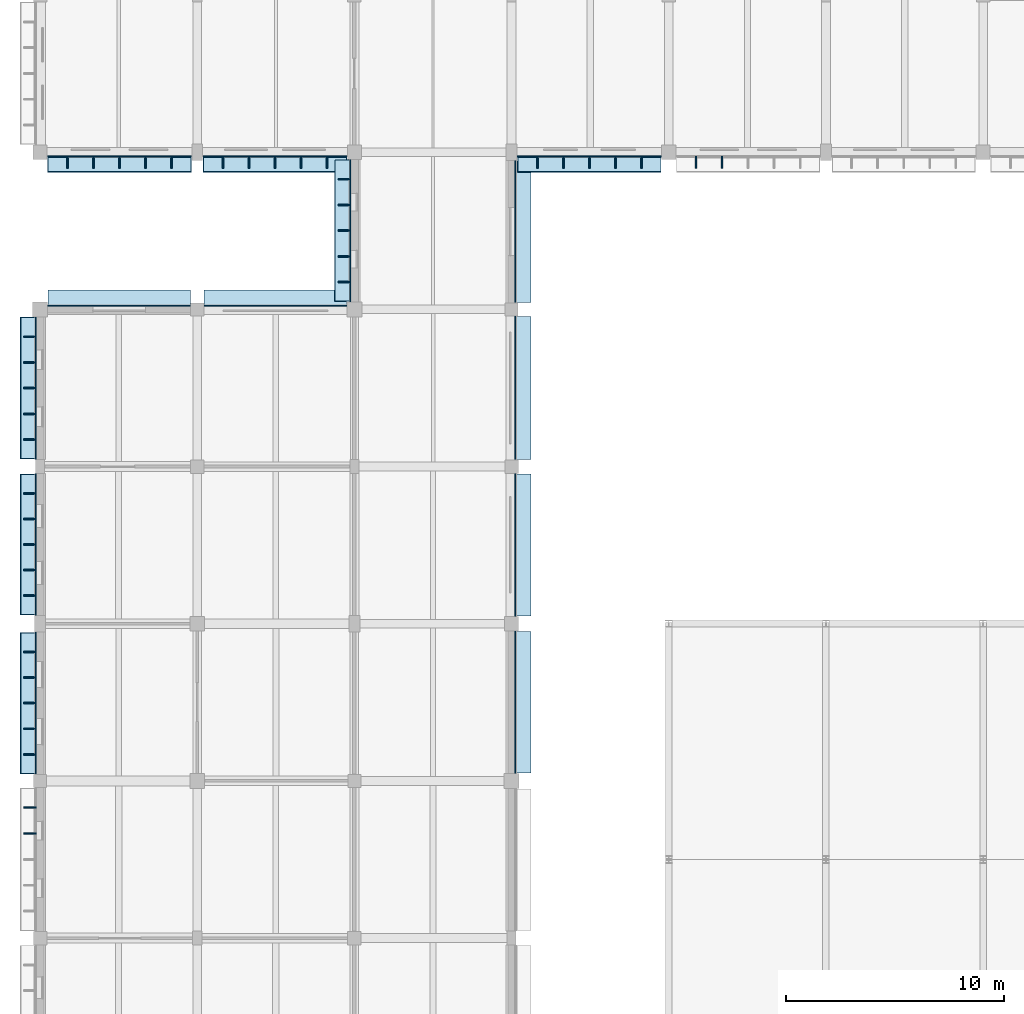
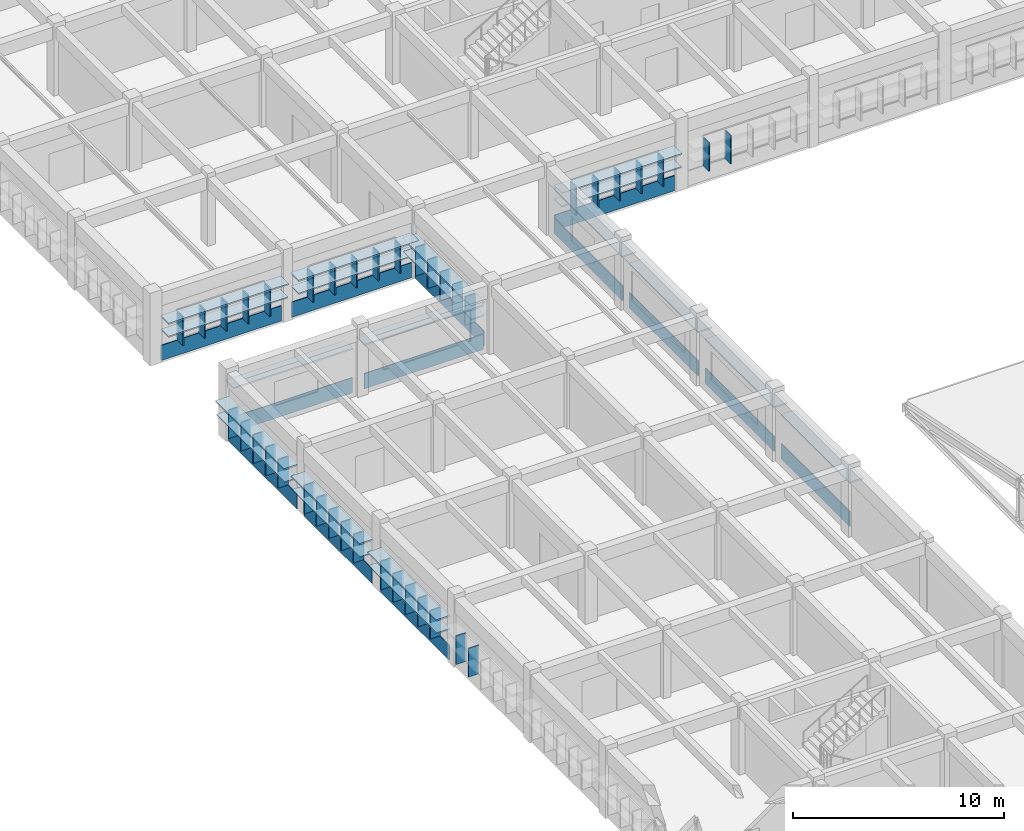
# One storey, part 70 of 103: 72 plates.
"""IFC4 building model written with IfcOpenShell, lengths in metres."""

from ifc_helpers import new_model, si_unit, direction, frame, origin, origin_2d, place, context, subcontext, project, spatial, rectangle, extrude, material, layer, layer_set, type_object, element, save


model = new_model("IFC4")

# Units and contexts
model_context = context("Model", 3, precision=1e-05, world=origin(), true_north=direction((0.0, 1.0)))
body_context = subcontext(model_context, "Body", "Model", "MODEL_VIEW")
ifc_project = project(units=[si_unit("LENGTHUNIT", "METRE"), si_unit("AREAUNIT", "SQUARE_METRE"), si_unit("VOLUMEUNIT", "CUBIC_METRE"), si_unit("PLANEANGLEUNIT", "RADIAN"), si_unit("MASSUNIT", "GRAM", prefix="KILO")], contexts=[model_context])

# Site, building, storey
site_placement = place(None, origin())
site = spatial("IfcSite", under=ifc_project, at=site_placement, CompositionType="ELEMENT")
building_placement = place(site_placement, origin())
building = spatial("IfcBuilding", under=site, at=building_placement, Name="Thalmaran Polytechnic", CompositionType="ELEMENT")
storey_placement = place(building_placement, frame((0.0, 0.0, 14.39990234375)))
storey = spatial("IfcBuildingStorey", under=building, at=storey_placement, Name="L03", CompositionType="ELEMENT", Elevation=14.39990234375)

# Plates
ifc_material_1 = material(Name="Anodised aluminium spandrel band", Category="aluminium")
ifc_layer_1 = layer(ifc_material_1, 0.054931640625, Name="Anodised aluminium spandrel band")
ifc_layer_set_1 = layer_set([ifc_layer_1], Name="Anodised aluminium spandrel band")
plate_type_1 = type_object("IfcPlateType", Name="PT-BD01", PredefinedType="SHEET", material=ifc_layer_set_1)
plate_1_placement = place(storey_placement, frame((-0.195068359375, 68.362548828125, 0.020263671875), z_axis=(0.0, 0.0, 1.0), x_axis=(0.0, 1.0, 0.0)))
element("IfcPlate", 1, at=plate_1_placement, inside=storey, type_object=plate_type_1, Name="Streamline Horizontal Spandrel Band L03-038", PredefinedType="SHEET", context=body_context, shape_type="SweptSolid", body=[
    extrude(rectangle(XDim=6.485107421875, YDim=0.054931640625, at=origin_2d()), origin(), (0.0, 0.0, 1.0), 0.8798828125),
])
plate_2_placement = place(storey_placement, frame((-0.195068359375, 75.62744140625, 0.020263671875), z_axis=(0.0, 0.0, 1.0), x_axis=(0.0, 1.0, 0.0)))
element("IfcPlate", 2, at=plate_2_placement, inside=storey, type_object=plate_type_1, Name="Streamline Horizontal Spandrel Band L03-039", PredefinedType="SHEET", context=body_context, shape_type="SweptSolid", body=[
    extrude(rectangle(XDim=6.465087890625, YDim=0.054931640625, at=origin_2d()), origin(), (0.0, 0.0, 1.0), 0.8798828125),
])
plate_3_placement = place(storey_placement, frame((-0.195068359375, 82.7900390625, 0.020263671875), z_axis=(0.0, 0.0, 1.0), x_axis=(0.0, 1.0, 0.0)))
element("IfcPlate", 3, at=plate_3_placement, inside=storey, type_object=plate_type_1, Name="Streamline Horizontal Spandrel Band L03-040", PredefinedType="SHEET", context=body_context, shape_type="SweptSolid", body=[
    extrude(rectangle(XDim=6.5, YDim=0.054931640625, at=origin_2d()), origin(), (0.0, 0.0, 1.0), 0.8798828125),
])
for number, where, z_axis, x_axis, name in (
    (4, (3.6201171875, 86.570068359375, 0.020263671875), (0.0, 0.0, 1.0), (1.0, 0.0, 0.0), "Streamline Horizontal Spandrel Band L03-041"),
    (5, (10.780029296875, 86.570068359375, 0.020263671875), (0.0, 0.0, 1.0), (1.0, 0.0, 0.0), "Streamline Horizontal Spandrel Band L03-042"),
):
    element("IfcPlate", number, at=place(storey_placement, frame(where, z_axis=z_axis, x_axis=x_axis)), inside=storey, type_object=plate_type_1, Name=name, PredefinedType="SHEET", context=body_context, shape_type="SweptSolid", body=[
        extrude(rectangle(XDim=6.52001953125, YDim=0.054931640625, at=origin_2d()), origin(), (0.0, 0.0, 1.0), 0.8798828125),
    ])
plate_4_placement = place(storey_placement, frame((14.205078125, 90.007568359375, 0.020263671875), z_axis=(0.0, 0.0, 1.0), x_axis=(0.0, 1.0, 0.0)))
element("IfcPlate", 6, at=plate_4_placement, inside=storey, type_object=plate_type_1, Name="Streamline Horizontal Spandrel Band L03-043", PredefinedType="SHEET", context=body_context, shape_type="SweptSolid", body=[
    extrude(rectangle(XDim=6.4951171875, YDim=0.054931640625, at=origin_2d()), origin(), (0.0, 0.0, 1.0), 0.8798828125),
])
for number, where, z_axis, x_axis, name in (
    (7, (10.762451171875, 93.405029296875, 0.020263671875), (0.0, 0.0, 1.0), (-1.0, 0.0, 0.0), "Streamline Horizontal Spandrel Band L03-044"),
    (8, (3.637451171875, 93.405029296875, 0.020263671875), (0.0, 0.0, 1.0), (-1.0, 0.0, 0.0), "Streamline Horizontal Spandrel Band L03-045"),
    (9, (25.16259765625, 93.405029296875, 0.020263671875), (0.0, 0.0, 1.0), (-1.0, 0.0, 0.0), "Streamline Horizontal Spandrel Band L03-088"),
):
    element("IfcPlate", number, at=place(storey_placement, frame(where, z_axis=z_axis, x_axis=x_axis)), inside=storey, type_object=plate_type_1, Name=name, PredefinedType="SHEET", context=body_context, shape_type="SweptSolid", body=[
        extrude(rectangle(XDim=6.5849609375, YDim=0.054931640625, at=origin_2d()), origin(), (0.0, 0.0, 1.0), 0.8798828125),
    ])
plate_5_placement = place(storey_placement, frame((21.77001953125, 89.96240234375, 0.020263671875), z_axis=(0.0, 0.0, 1.0), x_axis=(0.0, -1.0, 0.0)))
element("IfcPlate", 10, at=plate_5_placement, inside=storey, type_object=plate_type_1, Name="Streamline Horizontal Spandrel Band L03-089", PredefinedType="SHEET", context=body_context, shape_type="SweptSolid", body=[
    extrude(rectangle(XDim=6.485107421875, YDim=0.054931640625, at=origin_2d()), origin(), (0.0, 0.0, 1.0), 0.8798828125),
])
plate_6_placement = place(storey_placement, frame((21.77001953125, 82.804931640625, 0.020263671875), z_axis=(0.0, 0.0, 1.0), x_axis=(0.0, -1.0, 0.0)))
element("IfcPlate", 11, at=plate_6_placement, inside=storey, type_object=plate_type_1, Name="Streamline Horizontal Spandrel Band L03-090", PredefinedType="SHEET", context=body_context, shape_type="SweptSolid", body=[
    extrude(rectangle(XDim=6.550048828125, YDim=0.054931640625, at=origin_2d()), origin(), (0.0, 0.0, 1.0), 0.8798828125),
])
plate_7_placement = place(storey_placement, frame((21.77001953125, 75.607421875, 0.020263671875), z_axis=(0.0, 0.0, 1.0), x_axis=(0.0, -1.0, 0.0)))
element("IfcPlate", 12, at=plate_7_placement, inside=storey, type_object=plate_type_1, Name="Streamline Horizontal Spandrel Band L03-091", PredefinedType="SHEET", context=body_context, shape_type="SweptSolid", body=[
    extrude(rectangle(XDim=6.52490234375, YDim=0.054931640625, at=origin_2d()), origin(), (0.0, 0.0, 1.0), 0.8798828125),
])
plate_8_placement = place(storey_placement, frame((21.77001953125, 68.407470703125, 0.020263671875), z_axis=(0.0, 0.0, 1.0), x_axis=(0.0, -1.0, 0.0)))
element("IfcPlate", 13, at=plate_8_placement, inside=storey, type_object=plate_type_1, Name="Streamline Horizontal Spandrel Band L03-092", PredefinedType="SHEET", context=body_context, shape_type="SweptSolid", body=[
    extrude(rectangle(XDim=6.4951171875, YDim=0.054931640625, at=origin_2d()), origin(), (0.0, 0.0, 1.0), 0.8798828125),
])
ifc_material_2 = material(Name="Anodised aluminium sun-hood eyebrow", Category="aluminium")
ifc_layer_2 = layer(ifc_material_2, 0.0849609375, Name="Anodised aluminium sun-hood eyebrow")
ifc_layer_set_2 = layer_set([ifc_layer_2], Name="Anodised aluminium sun-hood eyebrow")
plate_type_2 = type_object("IfcPlateType", Name="PT-EB01", PredefinedType="SHEET", material=ifc_layer_set_2)
plate_9_placement = place(storey_placement, frame((-0.5400390625, 68.362548828125, 2.517578125), z_axis=(0.0, 0.0, 1.0), x_axis=(0.0, 1.0, 0.0)))
element("IfcPlate", 14, at=plate_9_placement, inside=storey, type_object=plate_type_2, Name="Streamline Sun-Hood Eyebrow L03-038", PredefinedType="SHEET", context=body_context, shape_type="SweptSolid", body=[
    extrude(rectangle(XDim=6.485107421875, YDim=0.760009765625, at=origin_2d()), origin(), (0.0, 0.0, 1.0), 0.0849609375),
])
plate_10_placement = place(storey_placement, frame((-0.52001953125, 68.362548828125, 1.74267578125), z_axis=(0.0, 0.0, 1.0), x_axis=(0.0, 1.0, 0.0)))
element("IfcPlate", 15, at=plate_10_placement, inside=storey, type_object=plate_type_2, Name="Abu Dhabi Horizontal Solar Louvre L03-038", PredefinedType="SHEET", context=body_context, shape_type="SweptSolid", body=[
    extrude(rectangle(XDim=6.445068359375, YDim=0.719970703125, at=origin_2d()), origin(), (0.0, 0.0, 1.0), 0.074951171875),
])
plate_11_placement = place(storey_placement, frame((-0.5400390625, 75.62744140625, 2.517578125), z_axis=(0.0, 0.0, 1.0), x_axis=(0.0, 1.0, 0.0)))
element("IfcPlate", 16, at=plate_11_placement, inside=storey, type_object=plate_type_2, Name="Streamline Sun-Hood Eyebrow L03-039", PredefinedType="SHEET", context=body_context, shape_type="SweptSolid", body=[
    extrude(rectangle(XDim=6.465087890625, YDim=0.760009765625, at=origin_2d()), origin(), (0.0, 0.0, 1.0), 0.0849609375),
])
plate_12_placement = place(storey_placement, frame((-0.52001953125, 75.62744140625, 1.74267578125), z_axis=(0.0, 0.0, 1.0), x_axis=(0.0, 1.0, 0.0)))
element("IfcPlate", 17, at=plate_12_placement, inside=storey, type_object=plate_type_2, Name="Abu Dhabi Horizontal Solar Louvre L03-039", PredefinedType="SHEET", context=body_context, shape_type="SweptSolid", body=[
    extrude(rectangle(XDim=6.425048828125, YDim=0.719970703125, at=origin_2d()), origin(), (0.0, 0.0, 1.0), 0.074951171875),
])
plate_13_placement = place(storey_placement, frame((-0.5400390625, 82.7900390625, 2.517578125), z_axis=(0.0, 0.0, 1.0), x_axis=(0.0, 1.0, 0.0)))
element("IfcPlate", 18, at=plate_13_placement, inside=storey, type_object=plate_type_2, Name="Streamline Sun-Hood Eyebrow L03-040", PredefinedType="SHEET", context=body_context, shape_type="SweptSolid", body=[
    extrude(rectangle(XDim=6.5, YDim=0.760009765625, at=origin_2d()), origin(), (0.0, 0.0, 1.0), 0.0849609375),
])
plate_14_placement = place(storey_placement, frame((-0.52001953125, 82.7900390625, 1.74267578125), z_axis=(0.0, 0.0, 1.0), x_axis=(0.0, 1.0, 0.0)))
element("IfcPlate", 19, at=plate_14_placement, inside=storey, type_object=plate_type_2, Name="Abu Dhabi Horizontal Solar Louvre L03-040", PredefinedType="SHEET", context=body_context, shape_type="SweptSolid", body=[
    extrude(rectangle(XDim=6.4599609375, YDim=0.719970703125, at=origin_2d()), origin(), (0.0, 0.0, 1.0), 0.074951171875),
])
for number, where, z_axis, x_axis, name in (
    (20, (3.6201171875, 86.9150390625, 2.517578125), (0.0, 0.0, 1.0), (1.0, 0.0, 0.0), "Streamline Sun-Hood Eyebrow L03-041"),
    (21, (10.780029296875, 86.9150390625, 2.517578125), (0.0, 0.0, 1.0), (1.0, 0.0, 0.0), "Streamline Sun-Hood Eyebrow L03-042"),
):
    element("IfcPlate", number, at=place(storey_placement, frame(where, z_axis=z_axis, x_axis=x_axis)), inside=storey, type_object=plate_type_2, Name=name, PredefinedType="SHEET", context=body_context, shape_type="SweptSolid", body=[
        extrude(rectangle(XDim=6.52001953125, YDim=0.760009765625, at=origin_2d()), origin(), (0.0, 0.0, 1.0), 0.0849609375),
    ])
plate_15_placement = place(storey_placement, frame((13.860107421875, 90.007568359375, 2.517578125), z_axis=(0.0, 0.0, 1.0), x_axis=(0.0, 1.0, 0.0)))
element("IfcPlate", 22, at=plate_15_placement, inside=storey, type_object=plate_type_2, Name="Streamline Sun-Hood Eyebrow L03-043", PredefinedType="SHEET", context=body_context, shape_type="SweptSolid", body=[
    extrude(rectangle(XDim=6.4951171875, YDim=0.760009765625, at=origin_2d()), origin(), (0.0, 0.0, 1.0), 0.0849609375),
])
plate_16_placement = place(storey_placement, frame((13.8798828125, 90.007568359375, 1.74267578125), z_axis=(0.0, 0.0, 1.0), x_axis=(0.0, 1.0, 0.0)))
element("IfcPlate", 23, at=plate_16_placement, inside=storey, type_object=plate_type_2, Name="Abu Dhabi Horizontal Solar Louvre L03-043", PredefinedType="SHEET", context=body_context, shape_type="SweptSolid", body=[
    extrude(rectangle(XDim=6.455078125, YDim=0.719970703125, at=origin_2d()), origin(), (0.0, 0.0, 1.0), 0.074951171875),
])
plate_17_placement = place(storey_placement, frame((10.762451171875, 93.06005859375, 2.517578125), z_axis=(0.0, 0.0, 1.0), x_axis=(-1.0, 0.0, 0.0)))
element("IfcPlate", 24, at=plate_17_placement, inside=storey, type_object=plate_type_2, Name="Streamline Sun-Hood Eyebrow L03-044", PredefinedType="SHEET", context=body_context, shape_type="SweptSolid", body=[
    extrude(rectangle(XDim=6.5849609375, YDim=0.760009765625, at=origin_2d()), origin(), (0.0, 0.0, 1.0), 0.0849609375),
])
plate_18_placement = place(storey_placement, frame((10.762451171875, 93.080078125, 1.74267578125), z_axis=(0.0, 0.0, 1.0), x_axis=(-1.0, 0.0, 0.0)))
element("IfcPlate", 25, at=plate_18_placement, inside=storey, type_object=plate_type_2, Name="Abu Dhabi Horizontal Solar Louvre L03-044", PredefinedType="SHEET", context=body_context, shape_type="SweptSolid", body=[
    extrude(rectangle(XDim=6.544921875, YDim=0.719970703125, at=origin_2d()), origin(), (0.0, 0.0, 1.0), 0.074951171875),
])
plate_19_placement = place(storey_placement, frame((3.637451171875, 93.06005859375, 2.517578125), z_axis=(0.0, 0.0, 1.0), x_axis=(-1.0, 0.0, 0.0)))
element("IfcPlate", 26, at=plate_19_placement, inside=storey, type_object=plate_type_2, Name="Streamline Sun-Hood Eyebrow L03-045", PredefinedType="SHEET", context=body_context, shape_type="SweptSolid", body=[
    extrude(rectangle(XDim=6.5849609375, YDim=0.760009765625, at=origin_2d()), origin(), (0.0, 0.0, 1.0), 0.0849609375),
])
plate_20_placement = place(storey_placement, frame((3.637451171875, 93.080078125, 1.74267578125), z_axis=(0.0, 0.0, 1.0), x_axis=(-1.0, 0.0, 0.0)))
element("IfcPlate", 27, at=plate_20_placement, inside=storey, type_object=plate_type_2, Name="Abu Dhabi Horizontal Solar Louvre L03-045", PredefinedType="SHEET", context=body_context, shape_type="SweptSolid", body=[
    extrude(rectangle(XDim=6.544921875, YDim=0.719970703125, at=origin_2d()), origin(), (0.0, 0.0, 1.0), 0.074951171875),
])
plate_21_placement = place(storey_placement, frame((25.16259765625, 93.06005859375, 2.517578125), z_axis=(0.0, 0.0, 1.0), x_axis=(-1.0, 0.0, 0.0)))
element("IfcPlate", 28, at=plate_21_placement, inside=storey, type_object=plate_type_2, Name="Streamline Sun-Hood Eyebrow L03-088", PredefinedType="SHEET", context=body_context, shape_type="SweptSolid", body=[
    extrude(rectangle(XDim=6.5849609375, YDim=0.760009765625, at=origin_2d()), origin(), (0.0, 0.0, 1.0), 0.0849609375),
])
plate_22_placement = place(storey_placement, frame((25.16259765625, 93.080078125, 1.74267578125), z_axis=(0.0, 0.0, 1.0), x_axis=(-1.0, 0.0, 0.0)))
element("IfcPlate", 29, at=plate_22_placement, inside=storey, type_object=plate_type_2, Name="Abu Dhabi Horizontal Solar Louvre L03-088", PredefinedType="SHEET", context=body_context, shape_type="SweptSolid", body=[
    extrude(rectangle(XDim=6.544921875, YDim=0.719970703125, at=origin_2d()), origin(), (0.0, 0.0, 1.0), 0.074951171875),
])
plate_23_placement = place(storey_placement, frame((22.114990234375, 89.96240234375, 2.517578125), z_axis=(0.0, 0.0, 1.0), x_axis=(0.0, -1.0, 0.0)))
element("IfcPlate", 30, at=plate_23_placement, inside=storey, type_object=plate_type_2, Name="Streamline Sun-Hood Eyebrow L03-089", PredefinedType="SHEET", context=body_context, shape_type="SweptSolid", body=[
    extrude(rectangle(XDim=6.485107421875, YDim=0.760009765625, at=origin_2d()), origin(), (0.0, 0.0, 1.0), 0.0849609375),
])
plate_24_placement = place(storey_placement, frame((22.114990234375, 82.804931640625, 2.517578125), z_axis=(0.0, 0.0, 1.0), x_axis=(0.0, -1.0, 0.0)))
element("IfcPlate", 31, at=plate_24_placement, inside=storey, type_object=plate_type_2, Name="Streamline Sun-Hood Eyebrow L03-090", PredefinedType="SHEET", context=body_context, shape_type="SweptSolid", body=[
    extrude(rectangle(XDim=6.550048828125, YDim=0.760009765625, at=origin_2d()), origin(), (0.0, 0.0, 1.0), 0.0849609375),
])
plate_25_placement = place(storey_placement, frame((22.114990234375, 75.607421875, 2.517578125), z_axis=(0.0, 0.0, 1.0), x_axis=(0.0, -1.0, 0.0)))
element("IfcPlate", 32, at=plate_25_placement, inside=storey, type_object=plate_type_2, Name="Streamline Sun-Hood Eyebrow L03-091", PredefinedType="SHEET", context=body_context, shape_type="SweptSolid", body=[
    extrude(rectangle(XDim=6.52490234375, YDim=0.760009765625, at=origin_2d()), origin(), (0.0, 0.0, 1.0), 0.0849609375),
])
plate_26_placement = place(storey_placement, frame((22.114990234375, 68.407470703125, 2.517578125), z_axis=(0.0, 0.0, 1.0), x_axis=(0.0, -1.0, 0.0)))
element("IfcPlate", 33, at=plate_26_placement, inside=storey, type_object=plate_type_2, Name="Streamline Sun-Hood Eyebrow L03-092", PredefinedType="SHEET", context=body_context, shape_type="SweptSolid", body=[
    extrude(rectangle(XDim=6.4951171875, YDim=0.760009765625, at=origin_2d()), origin(), (0.0, 0.0, 1.0), 0.0849609375),
])
ifc_material_3 = material(Name="Anodised bronze brise-soleil fin")
ifc_layer_3 = layer(ifc_material_3, 0.06494140625, Name="Anodised bronze brise-soleil fin")
ifc_layer_set_3 = layer_set([ifc_layer_3], Name="Anodised bronze brise-soleil fin")
plate_type_3 = type_object("IfcPlateType", Name="PT-FN01", PredefinedType="SHEET", material=ifc_layer_set_3)
for number, where, z_axis, x_axis, name in (
    (34, (-0.4599609375, 62.39111328125, 0.895263671875), (0.0, 0.0, 1.0), (0.0, 1.0, 0.0), "Abu Dhabi Solar Brise-Soleil Fin L03-037-4"),
    (35, (-0.4599609375, 63.577392578125, 0.895263671875), (0.0, 0.0, 1.0), (0.0, 1.0, 0.0), "Abu Dhabi Solar Brise-Soleil Fin L03-037-5"),
    (36, (-0.4599609375, 66.013427734375, 0.895263671875), (0.0, 0.0, 1.0), (0.0, 1.0, 0.0), "Abu Dhabi Solar Brise-Soleil Fin L03-038-1"),
    (37, (-0.4599609375, 67.18798828125, 0.895263671875), (0.0, 0.0, 1.0), (0.0, 1.0, 0.0), "Abu Dhabi Solar Brise-Soleil Fin L03-038-2"),
    (38, (-0.4599609375, 68.362548828125, 0.895263671875), (0.0, 0.0, 1.0), (0.0, 1.0, 0.0), "Abu Dhabi Solar Brise-Soleil Fin L03-038-3"),
    (39, (-0.4599609375, 69.537109375, 0.895263671875), (0.0, 0.0, 1.0), (0.0, 1.0, 0.0), "Abu Dhabi Solar Brise-Soleil Fin L03-038-4"),
    (40, (-0.4599609375, 70.71142578125, 0.895263671875), (0.0, 0.0, 1.0), (0.0, 1.0, 0.0), "Abu Dhabi Solar Brise-Soleil Fin L03-038-5"),
    (41, (-0.4599609375, 73.28564453125, 0.895263671875), (0.0, 0.0, 1.0), (0.0, 1.0, 0.0), "Abu Dhabi Solar Brise-Soleil Fin L03-039-1"),
    (42, (-0.4599609375, 74.45654296875, 0.895263671875), (0.0, 0.0, 1.0), (0.0, 1.0, 0.0), "Abu Dhabi Solar Brise-Soleil Fin L03-039-2"),
    (43, (-0.4599609375, 75.62744140625, 0.895263671875), (0.0, 0.0, 1.0), (0.0, 1.0, 0.0), "Abu Dhabi Solar Brise-Soleil Fin L03-039-3"),
    (44, (-0.4599609375, 76.79833984375, 0.895263671875), (0.0, 0.0, 1.0), (0.0, 1.0, 0.0), "Abu Dhabi Solar Brise-Soleil Fin L03-039-4"),
    (45, (-0.4599609375, 77.96923828125, 0.895263671875), (0.0, 0.0, 1.0), (0.0, 1.0, 0.0), "Abu Dhabi Solar Brise-Soleil Fin L03-039-5"),
    (46, (-0.4599609375, 80.435546875, 0.895263671875), (0.0, 0.0, 1.0), (0.0, 1.0, 0.0), "Abu Dhabi Solar Brise-Soleil Fin L03-040-1"),
    (47, (-0.4599609375, 81.61279296875, 0.895263671875), (0.0, 0.0, 1.0), (0.0, 1.0, 0.0), "Abu Dhabi Solar Brise-Soleil Fin L03-040-2"),
    (48, (-0.4599609375, 82.7900390625, 0.895263671875), (0.0, 0.0, 1.0), (0.0, 1.0, 0.0), "Abu Dhabi Solar Brise-Soleil Fin L03-040-3"),
    (49, (-0.4599609375, 83.96728515625, 0.895263671875), (0.0, 0.0, 1.0), (0.0, 1.0, 0.0), "Abu Dhabi Solar Brise-Soleil Fin L03-040-4"),
    (50, (-0.4599609375, 85.144287109375, 0.895263671875), (0.0, 0.0, 1.0), (0.0, 1.0, 0.0), "Abu Dhabi Solar Brise-Soleil Fin L03-040-5"),
    (51, (13.93994140625, 87.65478515625, 0.895263671875), (0.0, 0.0, 1.0), (0.0, 1.0, 0.0), "Abu Dhabi Solar Brise-Soleil Fin L03-043-1"),
    (52, (13.93994140625, 88.831298828125, 0.895263671875), (0.0, 0.0, 1.0), (0.0, 1.0, 0.0), "Abu Dhabi Solar Brise-Soleil Fin L03-043-2"),
    (53, (13.93994140625, 90.007568359375, 0.895263671875), (0.0, 0.0, 1.0), (0.0, 1.0, 0.0), "Abu Dhabi Solar Brise-Soleil Fin L03-043-3"),
    (54, (13.93994140625, 91.183837890625, 0.895263671875), (0.0, 0.0, 1.0), (0.0, 1.0, 0.0), "Abu Dhabi Solar Brise-Soleil Fin L03-043-4"),
    (55, (13.93994140625, 92.360107421875, 0.895263671875), (0.0, 0.0, 1.0), (0.0, 1.0, 0.0), "Abu Dhabi Solar Brise-Soleil Fin L03-043-5"),
    (56, (13.1474609375, 93.139892578125, 0.895263671875), (0.0, 0.0, 1.0), (-1.0, 0.0, 0.0), "Abu Dhabi Solar Brise-Soleil Fin L03-044-1"),
    (57, (11.955078125, 93.139892578125, 0.895263671875), (0.0, 0.0, 1.0), (-1.0, 0.0, 0.0), "Abu Dhabi Solar Brise-Soleil Fin L03-044-2"),
    (58, (10.762451171875, 93.139892578125, 0.895263671875), (0.0, 0.0, 1.0), (-1.0, 0.0, 0.0), "Abu Dhabi Solar Brise-Soleil Fin L03-044-3"),
    (59, (9.570068359375, 93.139892578125, 0.895263671875), (0.0, 0.0, 1.0), (-1.0, 0.0, 0.0), "Abu Dhabi Solar Brise-Soleil Fin L03-044-4"),
    (60, (8.37744140625, 93.139892578125, 0.895263671875), (0.0, 0.0, 1.0), (-1.0, 0.0, 0.0), "Abu Dhabi Solar Brise-Soleil Fin L03-044-5"),
    (61, (6.0224609375, 93.139892578125, 0.895263671875), (0.0, 0.0, 1.0), (-1.0, 0.0, 0.0), "Abu Dhabi Solar Brise-Soleil Fin L03-045-1"),
    (62, (4.830078125, 93.139892578125, 0.895263671875), (0.0, 0.0, 1.0), (-1.0, 0.0, 0.0), "Abu Dhabi Solar Brise-Soleil Fin L03-045-2"),
    (63, (3.637451171875, 93.139892578125, 0.895263671875), (0.0, 0.0, 1.0), (-1.0, 0.0, 0.0), "Abu Dhabi Solar Brise-Soleil Fin L03-045-3"),
    (64, (2.445068359375, 93.139892578125, 0.895263671875), (0.0, 0.0, 1.0), (-1.0, 0.0, 0.0), "Abu Dhabi Solar Brise-Soleil Fin L03-045-4"),
    (65, (1.25244140625, 93.139892578125, 0.895263671875), (0.0, 0.0, 1.0), (-1.0, 0.0, 0.0), "Abu Dhabi Solar Brise-Soleil Fin L03-045-5"),
    (66, (31.2451171875, 93.139892578125, 0.895263671875), (0.0, 0.0, 1.0), (-1.0, 0.0, 0.0), "Abu Dhabi Solar Brise-Soleil Fin L03-087-4"),
    (67, (30.052490234375, 93.139892578125, 0.895263671875), (0.0, 0.0, 1.0), (-1.0, 0.0, 0.0), "Abu Dhabi Solar Brise-Soleil Fin L03-087-5"),
    (68, (27.547607421875, 93.139892578125, 0.895263671875), (0.0, 0.0, 1.0), (-1.0, 0.0, 0.0), "Abu Dhabi Solar Brise-Soleil Fin L03-088-1"),
    (69, (26.35498046875, 93.139892578125, 0.895263671875), (0.0, 0.0, 1.0), (-1.0, 0.0, 0.0), "Abu Dhabi Solar Brise-Soleil Fin L03-088-2"),
    (70, (25.16259765625, 93.139892578125, 0.895263671875), (0.0, 0.0, 1.0), (-1.0, 0.0, 0.0), "Abu Dhabi Solar Brise-Soleil Fin L03-088-3"),
    (71, (23.969970703125, 93.139892578125, 0.895263671875), (0.0, 0.0, 1.0), (-1.0, 0.0, 0.0), "Abu Dhabi Solar Brise-Soleil Fin L03-088-4"),
    (72, (22.777587890625, 93.139892578125, 0.895263671875), (0.0, 0.0, 1.0), (-1.0, 0.0, 0.0), "Abu Dhabi Solar Brise-Soleil Fin L03-088-5"),
):
    element("IfcPlate", number, at=place(storey_placement, frame(where, z_axis=z_axis, x_axis=x_axis)), inside=storey, type_object=plate_type_3, Name=name, PredefinedType="SHEET", context=body_context, shape_type="SweptSolid", body=[
        extrude(rectangle(XDim=0.06494140625, YDim=0.56005859375, at=origin_2d()), origin(), (0.0, 0.0, 1.0), 1.64990234375),
    ])

save(model, "model.ifc")
